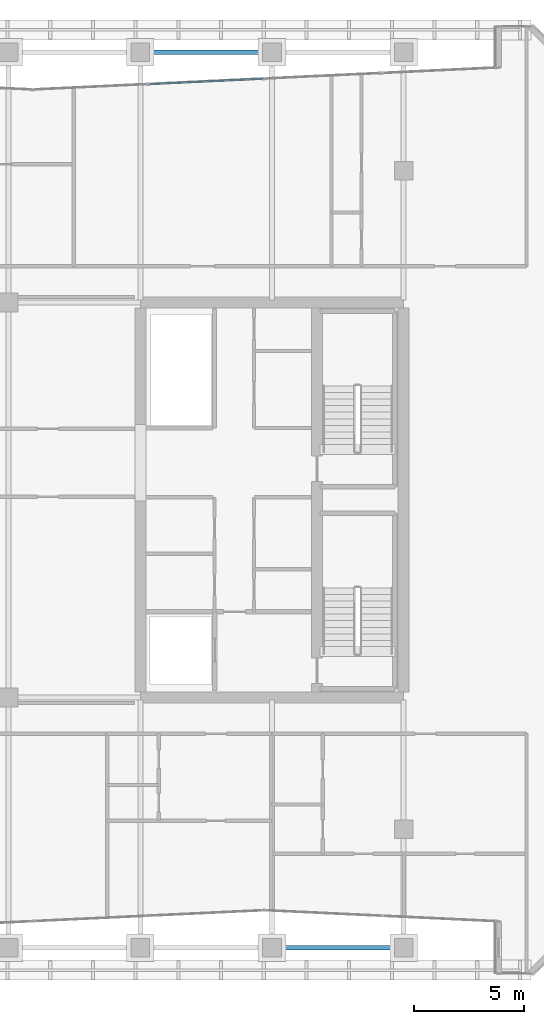
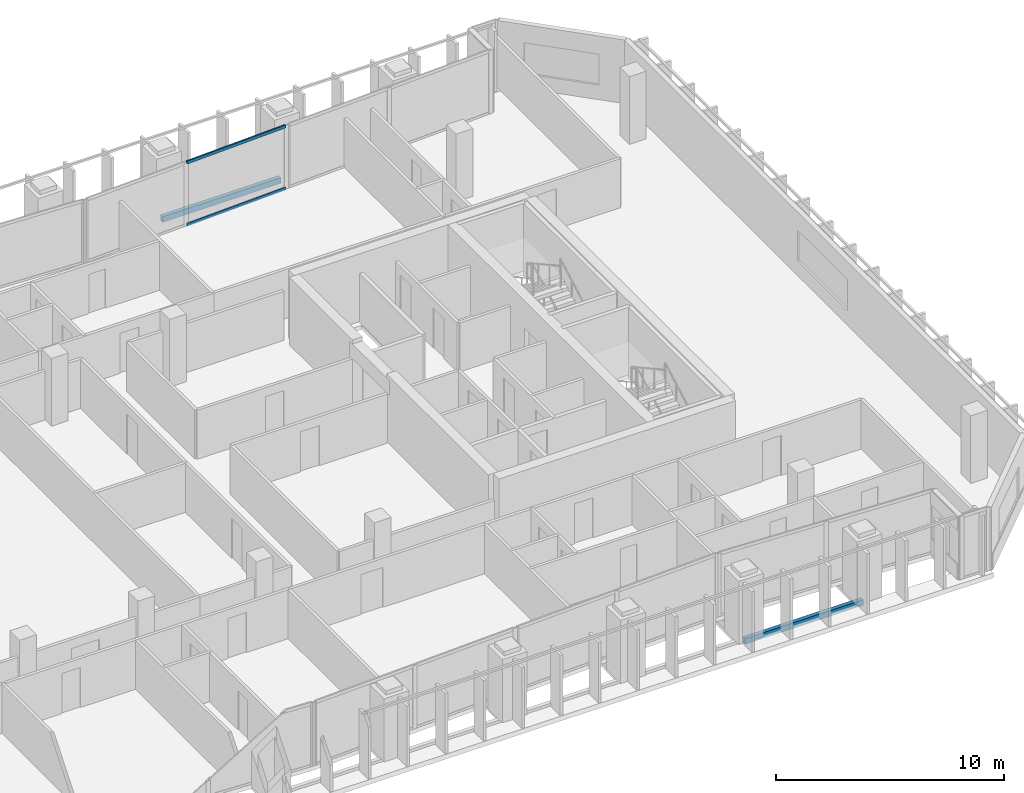
# One storey, part 14 of 29: 2 beams, 2 members, 1 element without a shape of its own.
"""IFC4 building model written with IfcOpenShell, lengths in metres."""

from ifc_helpers import new_model, si_unit, direction, frame, origin, origin_2d, place, context, subcontext, project, spatial, hollow_rectangle, extrude, material, layer, layer_set, material_profile, profile_set, type_object, element, aggregate, save


model = new_model("IFC4")

# Units and contexts
model_context = context("Model", 3, precision=1e-05, world=origin(), true_north=direction((0.0, 1.0)))
body_context = subcontext(model_context, "Body", "Model", "MODEL_VIEW")
ifc_project = project(units=[si_unit("LENGTHUNIT", "METRE"), si_unit("AREAUNIT", "SQUARE_METRE"), si_unit("VOLUMEUNIT", "CUBIC_METRE"), si_unit("PLANEANGLEUNIT", "RADIAN"), si_unit("MASSUNIT", "GRAM", prefix="KILO")], contexts=[model_context])

# Site, building, storey
site_placement = place(None, origin())
site = spatial("IfcSite", under=ifc_project, at=site_placement, CompositionType="ELEMENT")
building_placement = place(site_placement, origin())
building = spatial("IfcBuilding", under=site, at=building_placement, Name="Tanjung Sevakor Pilgrim Tower", CompositionType="ELEMENT")
storey_placement = place(building_placement, frame((0.0, 0.0, 162.030029296875)))
storey = spatial("IfcBuildingStorey", under=building, at=storey_placement, Name="L45", CompositionType="ELEMENT", Elevation=162.030029296875)

# Beams
ifc_material_1 = material(Name="Steel S355J2", Category="steel")
ifc_material_profile_1 = material_profile(ifc_material_1, hollow_rectangle(XDim=0.199951171875, YDim=0.300048828125, WallThickness=0.012451171875, at=origin_2d()))
ifc_profile_set_1 = profile_set([ifc_material_profile_1], Name="Steel S355J2")
beam_type = type_object("IfcBeamType", Name="BM-B-SP3-RHS_300x200x12.5", PredefinedType="SPANDREL", material=ifc_profile_set_1)
for number, where, z_axis, x_axis, name in (
    (1, (78.0, 54.0, -0.3701171875), (1.0, 0.0, 0.0), (0.0, 1.0, 0.0), "L45 Spandrel MAIN N-16"),
    (2, (84.0, 13.199951171875, -0.3701171875), (1.0, 0.0, 0.0), (0.0, 1.0, 0.0), "L45 Spandrel MAIN S-17"),
):
    element("IfcBeam", number, at=place(storey_placement, frame(where, z_axis=z_axis, x_axis=x_axis)), inside=storey, type_object=beam_type, Name=name, PredefinedType="SPANDREL", context=body_context, shape_type="SweptSolid", body=[
        extrude(hollow_rectangle(XDim=0.199951171875, YDim=0.300048828125, WallThickness=0.012451171875, at=origin_2d()), origin(), (0.0, 0.0, 1.0), 6.0),
    ])

# Curtain wall, members
ifc_material_2 = material(Name="Aluminium 6063-T6 and Low-E Glass", Category="aluminium")
ifc_layer = layer(ifc_material_2, 0.199951171875)
ifc_layer_set = layer_set([ifc_layer], Name="CW-SYS-PRAY")
curtain_wall_type = type_object("IfcCurtainWallType", Name="CW-SYS-PRAY", PredefinedType="NOTDEFINED", material=ifc_layer_set)
curtain_wall_placement = place(storey_placement, origin())
curtain_wall = element("IfcCurtainWall", 3, at=curtain_wall_placement, inside=storey, type_object=curtain_wall_type, Name="L45 Curtain Wall CW-PRY-L45-21", PredefinedType="NOTDEFINED")
ifc_material_3 = material(Name="Aluminium 6063-T6", Category="aluminium")
ifc_material_profile_2 = material_profile(ifc_material_3, hollow_rectangle(XDim=0.074951171875, YDim=0.159912109375, WallThickness=0.00439453125, at=origin_2d()))
ifc_profile_set_2 = profile_set([ifc_material_profile_2], Name="Aluminium 6063-T6")
member_type = type_object("IfcMemberType", Name="TYPE-CWT-2", PredefinedType="USERDEFINED", material=ifc_profile_set_2)
member_1_placement = place(storey_placement, frame((83.5810546875, 52.79150390625, 0.037353515625), z_axis=(-0.998880493931, -0.047304955805, 0.0), x_axis=(0.047304955805, -0.998880493931, 0.0)))
member_1 = element("IfcMember", 4, at=member_1_placement, type_object=member_type, Name="CW-PRY transom 1.1", ObjectType="TRANSOM", PredefinedType="USERDEFINED", context=body_context, shape_type="SweptSolid", body=[
    extrude(hollow_rectangle(XDim=0.074951171875, YDim=0.159912109375, WallThickness=0.00439453125, at=origin_2d()), origin(), (0.0, 0.0, 1.0), 5.17138671875),
])
member_2_placement = place(storey_placement, frame((83.5810546875, 52.79150390625, 3.37255859375), z_axis=(-0.998880493931, -0.047304955805, 0.0), x_axis=(0.047304955805, -0.998880493931, 0.0)))
member_2 = element("IfcMember", 5, at=member_2_placement, type_object=member_type, Name="CW-PRY transom 1.2", ObjectType="TRANSOM", PredefinedType="USERDEFINED", context=body_context, shape_type="SweptSolid", body=[
    extrude(hollow_rectangle(XDim=0.074951171875, YDim=0.159912109375, WallThickness=0.00439453125, at=origin_2d()), origin(), (0.0, 0.0, 1.0), 5.17138671875),
])
aggregate(curtain_wall, [member_1, member_2])

save(model, "model.ifc")
